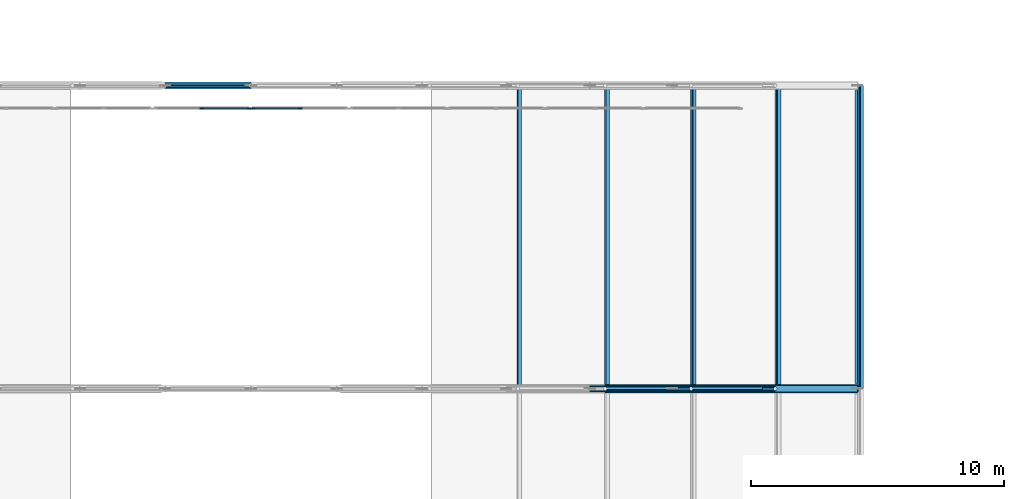
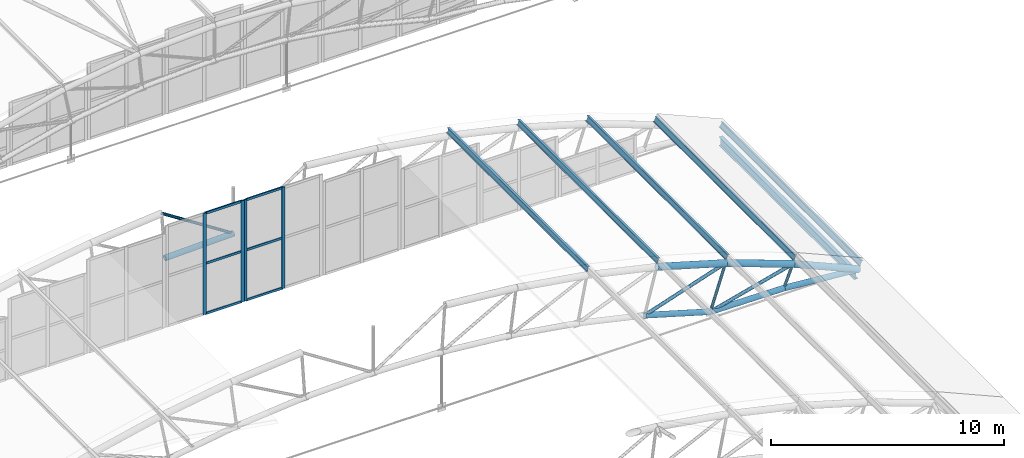
# One storey, part 140 of 321: 27 members, 1 beam, 2 elements without a shape of their own.
"""IFC4 building model written with IfcOpenShell, lengths in metres."""

from ifc_helpers import new_model, si_unit, direction, frame, origin, origin_2d, place, context, subcontext, project, spatial, rectangle, hollow_circle, i_section, extrude, material, layer, layer_set, material_profile, profile_set, type_object, element, aggregate, save


model = new_model("IFC4")

# Units and contexts
model_context = context("Model", 3, precision=1e-05, world=origin(), true_north=direction((0.0, 1.0)))
body_context = subcontext(model_context, "Body", "Model", "MODEL_VIEW")
ifc_project = project(units=[si_unit("LENGTHUNIT", "METRE"), si_unit("AREAUNIT", "SQUARE_METRE"), si_unit("VOLUMEUNIT", "CUBIC_METRE"), si_unit("PLANEANGLEUNIT", "RADIAN"), si_unit("MASSUNIT", "GRAM", prefix="KILO")], contexts=[model_context])

# Site, building, storey
site_placement = place(None, origin())
site = spatial("IfcSite", under=ifc_project, at=site_placement, CompositionType="ELEMENT")
building_placement = place(site_placement, origin())
building = spatial("IfcBuilding", under=site, at=building_placement, Name="Ravi Spectrum Wholesale Market", CompositionType="ELEMENT")
storey_placement = place(building_placement, frame((0.0, 0.0, 10.800048828125)))
storey = spatial("IfcBuildingStorey", under=building, at=storey_placement, Name="L02", CompositionType="ELEMENT", Elevation=10.800048828125)

# Members
ifc_material_1 = material(Name="Steel S355", Category="steel")
ifc_material_profile_1 = material_profile(ifc_material_1, hollow_circle(Radius=0.06982421875, WallThickness=0.0048828125, at=origin_2d()))
ifc_profile_set_1 = profile_set([ifc_material_profile_1], Name="Steel S355")
member_type_1 = type_object("IfcMemberType", Name="CHS 139.7x5 brace", PredefinedType="BRACE", material=ifc_profile_set_1)
member_1_placement = place(storey_placement, frame((170.459228515625, 126.0, 5.2880859375), z_axis=(0.839894736946, 0.0, -0.542749325978), x_axis=(0.0, 1.0, 0.0)))
element("IfcMember", 1, at=member_1_placement, inside=storey, type_object=member_type_1, Name="H2-MB-L02-271", PredefinedType="BRACE", context=body_context, shape_type="SweptSolid", body=[
    extrude(hollow_circle(Radius=0.06982421875, WallThickness=0.0048828125, at=origin_2d()), origin(), (0.0, 0.0, 1.0), 4.2158203125),
])
ifc_material_2 = material(Name="Steel S355", Category="steel")
ifc_material_profile_2 = material_profile(ifc_material_2, hollow_circle(Radius=0.06982421875, WallThickness=0.0048828125, at=origin_2d()))
ifc_profile_set_2 = profile_set([ifc_material_profile_2], Name="Steel S355")
member_type_2 = type_object("IfcMemberType", Name="CHS 139.7x5 post", PredefinedType="POST", material=ifc_profile_set_2)
member_2_placement = place(storey_placement, frame((191.422119140625, 114.0, 2.62255859375), z_axis=(-0.310973905747, 0.0, -0.950418449918), x_axis=(0.0, -1.0, 0.0)))
element("IfcMember", 2, at=member_2_placement, inside=storey, type_object=member_type_2, Name="H2-MB-L02-208", PredefinedType="POST", context=body_context, shape_type="SweptSolid", body=[
    extrude(hollow_circle(Radius=0.06982421875, WallThickness=0.0048828125, at=origin_2d()), origin(), (0.0, 0.0, 1.0), 2.39990234375),
])
member_3_placement = place(storey_placement, frame((194.75244140625, 114.0, 1.415283203125), z_axis=(-0.370337942638, 0.0, -0.928897092386), x_axis=(0.0, -1.0, 0.0)))
element("IfcMember", 3, at=member_3_placement, inside=storey, type_object=member_type_2, Name="H2-MB-L02-209", PredefinedType="POST", context=body_context, shape_type="SweptSolid", body=[
    extrude(hollow_circle(Radius=0.06982421875, WallThickness=0.0048828125, at=origin_2d()), origin(), (0.0, 0.0, 1.0), 1.19970703125),
])
ifc_material_3 = material(Name="Steel S355", Category="steel")
ifc_material_profile_3 = material_profile(ifc_material_3, hollow_circle(Radius=0.084228515625, WallThickness=0.00634765625, at=origin_2d()))
ifc_profile_set_3 = profile_set([ifc_material_profile_3], Name="Steel S355")
member_type_3 = type_object("IfcMemberType", Name="CHS 168.3x6.3 brace", PredefinedType="BRACE", material=ifc_profile_set_3)
member_4_placement = place(storey_placement, frame((191.422119140625, 114.0, 2.62255859375), z_axis=(-0.949001331945, 0.0, -0.315272060237), x_axis=(0.0, -1.0, 0.0)))
element("IfcMember", 4, at=member_4_placement, inside=storey, type_object=member_type_3, Name="H2-MB-L02-220", PredefinedType="BRACE", context=body_context, shape_type="SweptSolid", body=[
    extrude(hollow_circle(Radius=0.084228515625, WallThickness=0.00634765625, at=origin_2d()), origin(), (0.0, 0.0, 1.0), 4.2158203125),
])
member_5_placement = place(storey_placement, frame((194.75244140625, 114.0, 1.415283203125), z_axis=(-0.96702050396, 0.0, -0.254698537335), x_axis=(0.0, -1.0, 0.0)))
element("IfcMember", 5, at=member_5_placement, inside=storey, type_object=member_type_3, Name="H2-MB-L02-221", PredefinedType="BRACE", context=body_context, shape_type="SweptSolid", body=[
    extrude(hollow_circle(Radius=0.084228515625, WallThickness=0.00634765625, at=origin_2d()), origin(), (0.0, 0.0, 1.0), 4.215576171875),
])
ifc_material_4 = material(Name="Steel S355", Category="steel")
ifc_material_profile_4 = material_profile(ifc_material_4, hollow_circle(Radius=0.136474609375, WallThickness=0.010009765625, at=origin_2d()))
ifc_profile_set_4 = profile_set([ifc_material_profile_4], Name="Steel S355")
member_type_4 = type_object("IfcMemberType", Name="CHS 273x10 chord", PredefinedType="CHORD", material=ifc_profile_set_4)
member_6_placement = place(storey_placement, frame((187.42138671875, 114.0, 1.29345703125), z_axis=(0.959785210249, 0.0, -0.280735373951), x_axis=(0.0, 1.0, 0.0)))
element("IfcMember", 6, at=member_6_placement, inside=storey, type_object=member_type_4, Name="H2-MB-L02-194", PredefinedType="CHORD", context=body_context, shape_type="SweptSolid", body=[
    extrude(hollow_circle(Radius=0.136474609375, WallThickness=0.010009765625, at=origin_2d()), origin(), (0.0, 0.0, 1.0), 3.390869140625),
])
member_7_placement = place(storey_placement, frame((190.67578125, 114.0, 0.341552734375), z_axis=(0.999937009827, 0.0, -0.011223919925), x_axis=(0.0, 1.0, 0.0)))
element("IfcMember", 7, at=member_7_placement, inside=storey, type_object=member_type_4, Name="H2-MB-L02-195", PredefinedType="CHORD", context=body_context, shape_type="SweptSolid", body=[
    extrude(hollow_circle(Radius=0.136474609375, WallThickness=0.010009765625, at=origin_2d()), origin(), (0.0, 0.0, 1.0), 3.632568359375),
])
member_8_placement = place(storey_placement, frame((194.30810546875, 114.0, 0.30078125), z_axis=(0.996697692296, 0.0, -0.081201663597), x_axis=(0.0, 1.0, 0.0)))
element("IfcMember", 8, at=member_8_placement, inside=storey, type_object=member_type_4, Name="H2-MB-L02-196", PredefinedType="CHORD", context=body_context, shape_type="SweptSolid", body=[
    extrude(hollow_circle(Radius=0.136474609375, WallThickness=0.010009765625, at=origin_2d()), origin(), (0.0, 0.0, 1.0), 3.7041015625),
])
member_9_placement = place(storey_placement, frame((170.61083984375, 126.0, 2.892822265625), z_axis=(0.999500345993, 0.0, 0.031607884447), x_axis=(0.0, 1.0, 0.0)))
element("IfcMember", 9, at=member_9_placement, inside=storey, type_object=member_type_4, Name="H2-MB-L02-245", PredefinedType="CHORD", context=body_context, shape_type="SweptSolid", body=[
    extrude(hollow_circle(Radius=0.136474609375, WallThickness=0.010009765625, at=origin_2d()), origin(), (0.0, 0.0, 1.0), 3.390869140625),
])
ifc_material_5 = material(Name="Steel S355", Category="steel")
ifc_material_profile_5 = material_profile(ifc_material_5, hollow_circle(Radius=0.161865234375, WallThickness=0.010009765625, at=origin_2d()))
ifc_profile_set_5 = profile_set([ifc_material_profile_5], Name="Steel S355")
member_type_5 = type_object("IfcMemberType", Name="CHS 323.9x10 chord", PredefinedType="CHORD", material=ifc_profile_set_5)
member_10_placement = place(storey_placement, frame((188.02197265625, 114.0, 3.6171875), z_axis=(0.959778179425, 0.0, -0.280759409993), x_axis=(0.0, 1.0, 0.0)))
element("IfcMember", 10, at=member_10_placement, inside=storey, type_object=member_type_5, Name="H2-MB-L02-180", PredefinedType="CHORD", context=body_context, shape_type="SweptSolid", body=[
    extrude(hollow_circle(Radius=0.161865234375, WallThickness=0.010009765625, at=origin_2d()), origin(), (0.0, 0.0, 1.0), 3.542724609375),
])
for number, where, z_axis, x_axis, name in (
    (11, (191.422119140625, 114.0, 2.62255859375), (0.940133028891, 0.0, -0.340807699426), (0.0, 1.0, 0.0), "H2-MB-L02-181"),
    (12, (194.75244140625, 114.0, 1.415283203125), (0.916728973025, 0.0, -0.399509687012), (0.0, 1.0, 0.0), "H2-MB-L02-182"),
):
    element("IfcMember", number, at=place(storey_placement, frame(where, z_axis=z_axis, x_axis=x_axis)), inside=storey, type_object=member_type_5, Name=name, PredefinedType="CHORD", context=body_context, shape_type="SweptSolid", body=[
        extrude(hollow_circle(Radius=0.161865234375, WallThickness=0.010009765625, at=origin_2d()), origin(), (0.0, 0.0, 1.0), 3.54248046875),
    ])
ifc_material_6 = material(Name="Steel S355", Category="steel")
ifc_material_profile_6 = material_profile(ifc_material_6, i_section(OverallWidth=0.135009765625, OverallDepth=0.27001953125, WebThickness=0.006591796875, FlangeThickness=0.01025390625, at=origin_2d()))
ifc_profile_set_6 = profile_set([ifc_material_profile_6], Name="Steel S355")
member_type_6 = type_object("IfcMemberType", Name="IPE 270 purlin", PredefinedType="PURLIN", material=ifc_profile_set_6)
for number, where, z_axis, x_axis, name in (
    (13, (184.621826171875, 114.0, 4.6865234375), (0.0, 1.0, 0.0), (-0.982061208549, 0.0, 0.188562410526), "H2-MB-L02-336"),
    (14, (188.09619140625, 114.0, 3.904541015625), (0.0, 1.0, 0.0), (-0.968183171472, 0.0, 0.250242575271), "H2-MB-L02-337"),
    (15, (191.514404296875, 114.0, 2.90478515625), (0.0, 1.0, 0.0), (-0.950435264979, 0.0, 0.310922509774), "H2-MB-L02-338"),
    (16, (194.862548828125, 114.0, 1.691162109375), (0.0, 1.0, 0.0), (-0.928888434673, 0.0, 0.370359657536), "H2-MB-L02-339"),
    (17, (198.127197265625, 114.0, 0.268310546875), (0.0, 1.0, 0.0), (-0.903628792263, 0.0, 0.428316478545), "H2-MB-L02-340"),
):
    element("IfcMember", number, at=place(storey_placement, frame(where, z_axis=z_axis, x_axis=x_axis)), inside=storey, type_object=member_type_6, Name=name, PredefinedType="PURLIN", context=body_context, shape_type="SweptSolid", body=[
        extrude(i_section(OverallWidth=0.135009765625, OverallDepth=0.27001953125, WebThickness=0.006591796875, FlangeThickness=0.01025390625, at=origin_2d()), origin(), (0.0, 0.0, 1.0), 12.0),
    ])

# Beam
ifc_material_7 = material(Name="Steel S355", Category="steel")
ifc_material_profile_7 = material_profile(ifc_material_7, i_section(OverallWidth=0.18994140625, OverallDepth=0.449951171875, WebThickness=0.009521484375, FlangeThickness=0.0146484375, at=origin_2d()))
ifc_profile_set_7 = profile_set([ifc_material_profile_7], Name="Steel S355")
beam_type = type_object("IfcBeamType", Name="IPE 450 girder", PredefinedType="BEAM", material=ifc_profile_set_7)
beam_placement = place(storey_placement, frame((198.0, 114.203125, -0.425048828125), z_axis=(0.0, 1.0, 0.0), x_axis=(-1.0, 0.0, 0.0)))
element("IfcBeam", 18, at=beam_placement, inside=storey, type_object=beam_type, Name="H2-BM-L02-008", PredefinedType="BEAM", context=body_context, shape_type="SweptSolid", body=[
    extrude(i_section(OverallWidth=0.18994140625, OverallDepth=0.449951171875, WebThickness=0.009521484375, FlangeThickness=0.0146484375, at=origin_2d()), origin(), (0.0, 0.0, 1.0), 11.59375),
])

# Curtain wall, members
ifc_material_8 = material(Name="Aluminium 6063-T6", Category="aluminium")
ifc_layer = layer(ifc_material_8, 0.14990234375)
ifc_layer_set = layer_set([ifc_layer], Name="Aluminium 6063-T6")
curtain_wall_type = type_object("IfcCurtainWallType", Name="Curtain wall 150", PredefinedType="NOTDEFINED", material=ifc_layer_set)
curtain_wall_1_placement = place(storey_placement, origin())
curtain_wall_1 = element("IfcCurtainWall", 19, at=curtain_wall_1_placement, inside=storey, type_object=curtain_wall_type, Name="H2-CW-L02-015", PredefinedType="NOTDEFINED")
ifc_material_9 = material(Name="Aluminium 6063-T6", Category="aluminium")
ifc_material_profile_8 = material_profile(ifc_material_9, rectangle(XDim=0.06005859375, YDim=0.159912109375, at=origin_2d()))
ifc_profile_set_8 = profile_set([ifc_material_profile_8], Name="Aluminium 6063-T6")
member_type_7 = type_object("IfcMemberType", Name="Mullion 60 x 160", PredefinedType="MULLION", material=ifc_profile_set_8)
member_11_placement = place(storey_placement, frame((172.056884765625, 125.10009765625, 0.0), z_axis=(0.0, 0.0, 1.0), x_axis=(0.0, 1.0, 0.0)))
member_11 = element("IfcMember", 20, at=member_11_placement, type_object=member_type_7, Name="H2-CW-L02-015 mullion 2", PredefinedType="MULLION", context=body_context, shape_type="SweptSolid", body=[
    extrude(rectangle(XDim=0.06005859375, YDim=0.159912109375, at=origin_2d()), origin(), (0.0, 0.0, 1.0), 5.300048828125),
])
member_12_placement = place(storey_placement, frame((173.929931640625, 125.10009765625, 0.0), z_axis=(0.0, 0.0, 1.0), x_axis=(0.0, 1.0, 0.0)))
member_12 = element("IfcMember", 21, at=member_12_placement, type_object=member_type_7, Name="H2-CW-L02-015 mullion 3", PredefinedType="MULLION", context=body_context, shape_type="SweptSolid", body=[
    extrude(rectangle(XDim=0.06005859375, YDim=0.159912109375, at=origin_2d()), origin(), (0.0, 0.0, 1.0), 5.300048828125),
])

curtain_wall_2_placement = place(storey_placement, origin())
curtain_wall_2 = element("IfcCurtainWall", 22, at=curtain_wall_2_placement, inside=storey, type_object=curtain_wall_type, Name="H2-CW-L02-016", PredefinedType="NOTDEFINED")
member_13_placement = place(storey_placement, frame((174.070068359375, 125.10009765625, 0.0), z_axis=(0.0, 0.0, 1.0), x_axis=(0.0, 1.0, 0.0)))
member_13 = element("IfcMember", 23, at=member_13_placement, type_object=member_type_7, Name="H2-CW-L02-016 mullion 1", PredefinedType="MULLION", context=body_context, shape_type="SweptSolid", body=[
    extrude(rectangle(XDim=0.06005859375, YDim=0.159912109375, at=origin_2d()), origin(), (0.0, 0.0, 1.0), 5.300048828125),
])
member_14_placement = place(storey_placement, frame((175.943115234375, 125.10009765625, 0.0), z_axis=(0.0, 0.0, 1.0), x_axis=(0.0, 1.0, 0.0)))
member_14 = element("IfcMember", 24, at=member_14_placement, type_object=member_type_7, Name="H2-CW-L02-016 mullion 2", PredefinedType="MULLION", context=body_context, shape_type="SweptSolid", body=[
    extrude(rectangle(XDim=0.06005859375, YDim=0.159912109375, at=origin_2d()), origin(), (0.0, 0.0, 1.0), 5.300048828125),
])

# Member
ifc_material_10 = material(Name="Aluminium 6063-T6", Category="aluminium")
ifc_material_profile_9 = material_profile(ifc_material_10, rectangle(XDim=0.06005859375, YDim=0.1201171875, at=origin_2d()))
ifc_profile_set_9 = profile_set([ifc_material_profile_9], Name="Aluminium 6063-T6")
member_type_8 = type_object("IfcMemberType", Name="Transom 60 x 120", PredefinedType="USERDEFINED", material=ifc_profile_set_9)
member_15_placement = place(storey_placement, frame((172.0869140625, 125.10009765625, 0.030029296875), z_axis=(1.0, 0.0, 0.0), x_axis=(0.0, 1.0, 0.0)))
member_15 = element("IfcMember", 25, at=member_15_placement, type_object=member_type_8, Name="H2-CW-L02-015 transom 2.1", ObjectType="TRANSOM", PredefinedType="USERDEFINED", context=body_context, shape_type="SweptSolid", body=[
    extrude(rectangle(XDim=0.06005859375, YDim=0.1201171875, at=origin_2d()), origin(), (0.0, 0.0, 1.0), 1.81298828125),
])

member_16_placement = place(storey_placement, frame((172.0869140625, 125.10009765625, 2.64990234375), z_axis=(1.0, 0.0, 0.0), x_axis=(0.0, 1.0, 0.0)))
member_16 = element("IfcMember", 26, at=member_16_placement, type_object=member_type_8, Name="H2-CW-L02-015 transom 2.2", ObjectType="TRANSOM", PredefinedType="USERDEFINED", context=body_context, shape_type="SweptSolid", body=[
    extrude(rectangle(XDim=0.06005859375, YDim=0.1201171875, at=origin_2d()), origin(), (0.0, 0.0, 1.0), 1.81298828125),
])

member_17_placement = place(storey_placement, frame((172.0869140625, 125.10009765625, 5.27001953125), z_axis=(1.0, 0.0, 0.0), x_axis=(0.0, 1.0, 0.0)))
member_17 = element("IfcMember", 27, at=member_17_placement, type_object=member_type_8, Name="H2-CW-L02-015 transom 2.3", ObjectType="TRANSOM", PredefinedType="USERDEFINED", context=body_context, shape_type="SweptSolid", body=[
    extrude(rectangle(XDim=0.06005859375, YDim=0.1201171875, at=origin_2d()), origin(), (0.0, 0.0, 1.0), 1.81298828125),
])

aggregate(curtain_wall_1, [member_11, member_12, member_15, member_16, member_17])

member_18_placement = place(storey_placement, frame((174.10009765625, 125.10009765625, 0.030029296875), z_axis=(1.0, 0.0, 0.0), x_axis=(0.0, 1.0, 0.0)))
member_18 = element("IfcMember", 28, at=member_18_placement, type_object=member_type_8, Name="H2-CW-L02-016 transom 1.1", ObjectType="TRANSOM", PredefinedType="USERDEFINED", context=body_context, shape_type="SweptSolid", body=[
    extrude(rectangle(XDim=0.06005859375, YDim=0.1201171875, at=origin_2d()), origin(), (0.0, 0.0, 1.0), 1.81298828125),
])

member_19_placement = place(storey_placement, frame((174.10009765625, 125.10009765625, 2.64990234375), z_axis=(1.0, 0.0, 0.0), x_axis=(0.0, 1.0, 0.0)))
member_19 = element("IfcMember", 29, at=member_19_placement, type_object=member_type_8, Name="H2-CW-L02-016 transom 1.2", ObjectType="TRANSOM", PredefinedType="USERDEFINED", context=body_context, shape_type="SweptSolid", body=[
    extrude(rectangle(XDim=0.06005859375, YDim=0.1201171875, at=origin_2d()), origin(), (0.0, 0.0, 1.0), 1.81298828125),
])

member_20_placement = place(storey_placement, frame((174.10009765625, 125.10009765625, 5.27001953125), z_axis=(1.0, 0.0, 0.0), x_axis=(0.0, 1.0, 0.0)))
member_20 = element("IfcMember", 30, at=member_20_placement, type_object=member_type_8, Name="H2-CW-L02-016 transom 1.3", ObjectType="TRANSOM", PredefinedType="USERDEFINED", context=body_context, shape_type="SweptSolid", body=[
    extrude(rectangle(XDim=0.06005859375, YDim=0.1201171875, at=origin_2d()), origin(), (0.0, 0.0, 1.0), 1.81298828125),
])

aggregate(curtain_wall_2, [member_13, member_14, member_18, member_19, member_20])

save(model, "model.ifc")
